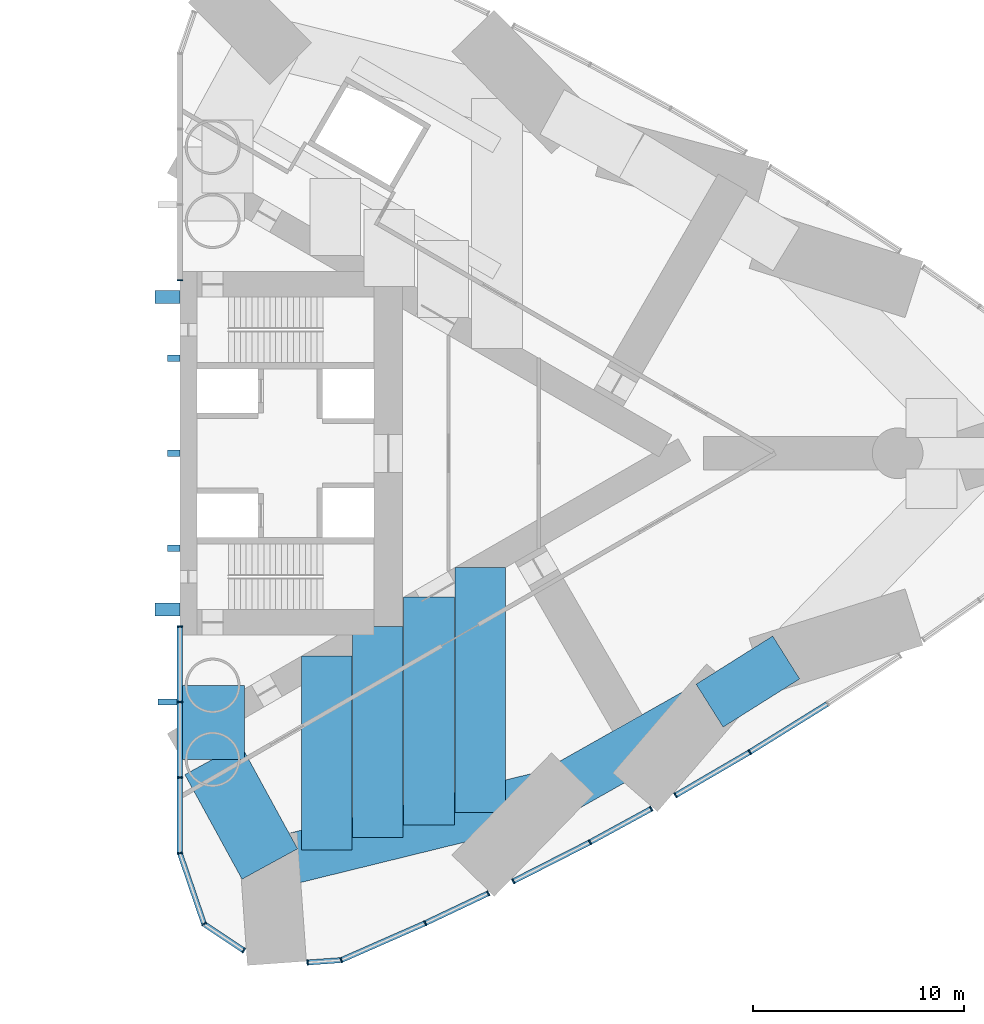
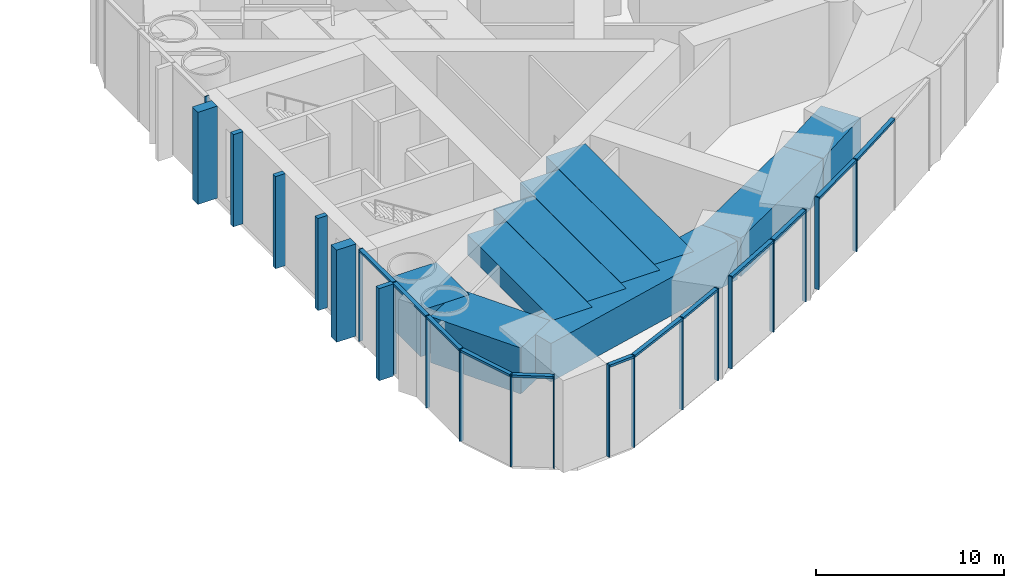
# One storey, part 6 of 16: 34 members, 9 beams, 5 elements without a shape of their own.
"""IFC4 building model written with IfcOpenShell, lengths in metres."""

from ifc_helpers import new_model, si_unit, direction, frame, origin, origin_2d, place, context, subcontext, project, spatial, rectangle, extrude, material, material_profile, profile_set, type_object, element, aggregate, save


model = new_model("IFC4")

# Units and contexts
model_context = context("Model", 3, precision=1e-05, world=origin(), true_north=direction((0.0, 1.0)))
body_context = subcontext(model_context, "Body", "Model", "MODEL_VIEW")
ifc_project = project(units=[si_unit("LENGTHUNIT", "METRE"), si_unit("AREAUNIT", "SQUARE_METRE"), si_unit("VOLUMEUNIT", "CUBIC_METRE"), si_unit("PLANEANGLEUNIT", "RADIAN"), si_unit("MASSUNIT", "GRAM", prefix="KILO")], contexts=[model_context])

# Site, building, storey
site_placement = place(None, origin())
site = spatial("IfcSite", under=ifc_project, at=site_placement, CompositionType="ELEMENT")
building_placement = place(site_placement, origin())
building = spatial("IfcBuilding", under=site, at=building_placement, Name="Lancet Gate Hotel", CompositionType="ELEMENT")
storey_placement = place(building_placement, frame((0.0, 0.0, 146.699951171875)))
storey = spatial("IfcBuildingStorey", under=building, at=storey_placement, Name="L39", CompositionType="ELEMENT", Elevation=146.699951171875)

# Curtain wall, members
ifc_material_1 = material(Name="Aluminium curtain wall", Category="aluminium")
curtain_wall_type = type_object("IfcCurtainWallType", Name="Refuge storey louvred curtain wall", PredefinedType="USERDEFINED", material=ifc_material_1)
curtain_wall_1_placement = place(storey_placement, origin())
curtain_wall_1 = element("IfcCurtainWall", 1, at=curtain_wall_1_placement, inside=storey, type_object=curtain_wall_type, Name="T2 L39 curtain wall 1", ObjectType="LANTERN GLAZING", PredefinedType="USERDEFINED")
ifc_material_2 = material(Name="Aluminium mullion", Category="aluminium")
ifc_material_profile_1 = material_profile(ifc_material_2, rectangle(XDim=0.06494140625, YDim=0.25, at=origin_2d()), Name="MULLION 65x250")
ifc_profile_set_1 = profile_set([ifc_material_profile_1], Name="Aluminium mullion")
member_type_1 = type_object("IfcMemberType", Name="Aluminium mullion 65x250", PredefinedType="MULLION", material=ifc_profile_set_1)
member_1_placement = place(storey_placement, frame((27.5, -8.199951171875, 0.0), z_axis=(0.0, 0.0, 1.0), x_axis=(0.0, -1.0, 0.0)))
member_1 = element("IfcMember", 2, at=member_1_placement, type_object=member_type_1, Name="T2 L39 curtain wall 1 mullion 1", PredefinedType="MULLION", context=body_context, shape_type="SweptSolid", body=[
    extrude(rectangle(XDim=0.06494140625, YDim=0.25, at=origin_2d()), origin(), (0.0, 0.0, 1.0), 6.0),
])
member_2_placement = place(storey_placement, frame((27.5, -11.781005859375, 0.0), z_axis=(0.0, 0.0, 1.0), x_axis=(0.0, -1.0, 0.0)))
member_2 = element("IfcMember", 3, at=member_2_placement, type_object=member_type_1, Name="T2 L39 curtain wall 1 mullion 2", PredefinedType="MULLION", context=body_context, shape_type="SweptSolid", body=[
    extrude(rectangle(XDim=0.06494140625, YDim=0.25, at=origin_2d()), origin(), (0.0, 0.0, 1.0), 6.0),
])
member_3_placement = place(storey_placement, frame((27.5, -15.362060546875, 0.0), z_axis=(0.0, 0.0, 1.0), x_axis=(0.0, -1.0, 0.0)))
member_3 = element("IfcMember", 4, at=member_3_placement, type_object=member_type_1, Name="T2 L39 curtain wall 1 mullion 3", PredefinedType="MULLION", context=body_context, shape_type="SweptSolid", body=[
    extrude(rectangle(XDim=0.06494140625, YDim=0.25, at=origin_2d()), origin(), (0.0, 0.0, 1.0), 6.0),
])
member_4_placement = place(storey_placement, frame((27.5, -18.94287109375, 0.0), z_axis=(0.0, 0.0, 1.0), x_axis=(0.162738742557, -0.986669195663, 0.0)))
member_4 = element("IfcMember", 5, at=member_4_placement, type_object=member_type_1, Name="T2 L39 curtain wall 1 mullion 4", PredefinedType="MULLION", context=body_context, shape_type="SweptSolid", body=[
    extrude(rectangle(XDim=0.06494140625, YDim=0.25, at=origin_2d()), origin(), (0.0, 0.0, 1.0), 6.0),
])
member_5_placement = place(storey_placement, frame((28.64453125, -22.301513671875, 0.0), z_axis=(0.0, 0.0, 1.0), x_axis=(0.54909228457, -0.835761726227, 0.0)))
member_5 = element("IfcMember", 6, at=member_5_placement, type_object=member_type_1, Name="T2 L39 curtain wall 1 mullion 5", PredefinedType="MULLION", context=body_context, shape_type="SweptSolid", body=[
    extrude(rectangle(XDim=0.06494140625, YDim=0.25, at=origin_2d()), origin(), (0.0, 0.0, 1.0), 6.0),
])
member_6_placement = place(storey_placement, frame((30.526123046875, -23.549072265625, 0.0), z_axis=(0.0, 0.0, 1.0), x_axis=(0.833464516611, -0.552572981198, 0.0)))
member_6 = element("IfcMember", 7, at=member_6_placement, type_object=member_type_1, Name="T2 L39 curtain wall 1 mullion 6", PredefinedType="MULLION", context=body_context, shape_type="SweptSolid", body=[
    extrude(rectangle(XDim=0.06494140625, YDim=0.25, at=origin_2d()), origin(), (0.0, 0.0, 1.0), 6.0),
])

curtain_wall_2_placement = place(storey_placement, origin())
curtain_wall_2 = element("IfcCurtainWall", 8, at=curtain_wall_2_placement, inside=storey, type_object=curtain_wall_type, Name="T2 L39 curtain wall 2", ObjectType="LANTERN GLAZING", PredefinedType="USERDEFINED")
member_7_placement = place(storey_placement, frame((33.54931640625, -24.123046875, 0.0), z_axis=(0.0, 0.0, 1.0), x_axis=(0.997448492935, 0.07138980278, 0.0)))
member_7 = element("IfcMember", 9, at=member_7_placement, type_object=member_type_1, Name="T2 L39 curtain wall 2 mullion 1", PredefinedType="MULLION", context=body_context, shape_type="SweptSolid", body=[
    extrude(rectangle(XDim=0.06494140625, YDim=0.25, at=origin_2d()), origin(), (0.0, 0.0, 1.0), 6.0),
])
member_8_placement = place(storey_placement, frame((35.141357421875, -24.009033203125, 0.0), z_axis=(0.0, 0.0, 1.0), x_axis=(0.948382370841, 0.317129119883, 0.0)))
member_8 = element("IfcMember", 10, at=member_8_placement, type_object=member_type_1, Name="T2 L39 curtain wall 2 mullion 2", PredefinedType="MULLION", context=body_context, shape_type="SweptSolid", body=[
    extrude(rectangle(XDim=0.06494140625, YDim=0.25, at=origin_2d()), origin(), (0.0, 0.0, 1.0), 6.0),
])
member_9_placement = place(storey_placement, frame((39.12109375, -22.259765625, 0.0), z_axis=(0.0, 0.0, 1.0), x_axis=(0.91047251067, 0.413569591864, 0.0)))
member_9 = element("IfcMember", 11, at=member_9_placement, type_object=member_type_1, Name="T2 L39 curtain wall 2 mullion 3", PredefinedType="MULLION", context=body_context, shape_type="SweptSolid", body=[
    extrude(rectangle(XDim=0.06494140625, YDim=0.25, at=origin_2d()), origin(), (0.0, 0.0, 1.0), 6.0),
])
member_10_placement = place(storey_placement, frame((42.10986328125, -20.843505859375, 0.0), z_axis=(0.0, 0.0, 1.0), x_axis=(0.903683440096, 0.428201167789, 0.0)))
member_10 = element("IfcMember", 12, at=member_10_placement, type_object=member_type_1, Name="T2 L39 curtain wall 2 mullion 4", PredefinedType="MULLION", context=body_context, shape_type="SweptSolid", body=[
    extrude(rectangle(XDim=0.06494140625, YDim=0.25, at=origin_2d()), origin(), (0.0, 0.0, 1.0), 6.0),
])

curtain_wall_3_placement = place(storey_placement, origin())
curtain_wall_3 = element("IfcCurtainWall", 13, at=curtain_wall_3_placement, inside=storey, type_object=curtain_wall_type, Name="T2 L39 curtain wall 3", ObjectType="LANTERN GLAZING", PredefinedType="USERDEFINED")
member_11_placement = place(storey_placement, frame((43.29443359375, -20.273681640625, 0.0), z_axis=(0.0, 0.0, 1.0), x_axis=(0.891159350462, 0.453690436403, 0.0)))
member_11 = element("IfcMember", 14, at=member_11_placement, type_object=member_type_1, Name="T2 L39 curtain wall 3 mullion 1", PredefinedType="MULLION", context=body_context, shape_type="SweptSolid", body=[
    extrude(rectangle(XDim=0.06494140625, YDim=0.25, at=origin_2d()), origin(), (0.0, 0.0, 1.0), 6.0),
])
member_12_placement = place(storey_placement, frame((46.923828125, -18.426025390625, 0.0), z_axis=(0.0, 0.0, 1.0), x_axis=(0.8853073813, 0.465006280189, 0.0)))
member_12 = element("IfcMember", 15, at=member_12_placement, type_object=member_type_1, Name="T2 L39 curtain wall 3 mullion 2", PredefinedType="MULLION", context=body_context, shape_type="SweptSolid", body=[
    extrude(rectangle(XDim=0.06494140625, YDim=0.25, at=origin_2d()), origin(), (0.0, 0.0, 1.0), 6.0),
])
member_13_placement = place(storey_placement, frame((49.832275390625, -16.839599609375, 0.0), z_axis=(0.0, 0.0, 1.0), x_axis=(0.877916491224, 0.478813778454, 0.0)))
member_13 = element("IfcMember", 16, at=member_13_placement, type_object=member_type_1, Name="T2 L39 curtain wall 3 mullion 3", PredefinedType="MULLION", context=body_context, shape_type="SweptSolid", body=[
    extrude(rectangle(XDim=0.06494140625, YDim=0.25, at=origin_2d()), origin(), (0.0, 0.0, 1.0), 6.0),
])

curtain_wall_4_placement = place(storey_placement, origin())
curtain_wall_4 = element("IfcCurtainWall", 17, at=curtain_wall_4_placement, inside=storey, type_object=curtain_wall_type, Name="T2 L39 curtain wall 4", ObjectType="LANTERN GLAZING", PredefinedType="USERDEFINED")
member_14_placement = place(storey_placement, frame((50.9814453125, -16.203857421875, 0.0), z_axis=(0.0, 0.0, 1.0), x_axis=(0.863965543499, 0.503550930538, 0.0)))
member_14 = element("IfcMember", 18, at=member_14_placement, type_object=member_type_1, Name="T2 L39 curtain wall 4 mullion 1", PredefinedType="MULLION", context=body_context, shape_type="SweptSolid", body=[
    extrude(rectangle(XDim=0.06494140625, YDim=0.25, at=origin_2d()), origin(), (0.0, 0.0, 1.0), 6.0),
])
member_15_placement = place(storey_placement, frame((54.496337890625, -14.1552734375, 0.0), z_axis=(0.0, 0.0, 1.0), x_axis=(0.856485260628, 0.516171481513, 0.0)))
member_15 = element("IfcMember", 19, at=member_15_placement, type_object=member_type_1, Name="T2 L39 curtain wall 4 mullion 2", PredefinedType="MULLION", context=body_context, shape_type="SweptSolid", body=[
    extrude(rectangle(XDim=0.06494140625, YDim=0.25, at=origin_2d()), origin(), (0.0, 0.0, 1.0), 6.0),
])

# Curtain wall, member
curtain_wall_5_placement = place(storey_placement, origin())
curtain_wall_5 = element("IfcCurtainWall", 20, at=curtain_wall_5_placement, inside=storey, type_object=curtain_wall_type, Name="T2 L39 curtain wall 10", ObjectType="LANTERN GLAZING", PredefinedType="USERDEFINED")
member_16_placement = place(storey_placement, frame((27.5, 8.199951171875, 0.0), z_axis=(0.0, 0.0, 1.0), x_axis=(0.0, -1.0, 0.0)))
member_16 = element("IfcMember", 21, at=member_16_placement, type_object=member_type_1, Name="T2 L39 curtain wall 10 mullion 5", PredefinedType="MULLION", context=body_context, shape_type="SweptSolid", body=[
    extrude(rectangle(XDim=0.06494140625, YDim=0.25, at=origin_2d()), origin(), (0.0, 0.0, 1.0), 6.0),
])
aggregate(curtain_wall_5, [member_16])

# Member
ifc_material_3 = material(Name="Aluminium transom", Category="aluminium")
ifc_material_profile_2 = material_profile(ifc_material_3, rectangle(XDim=0.25, YDim=0.14990234375, at=origin_2d()), Name="TRANSOM 250x150")
ifc_profile_set_2 = profile_set([ifc_material_profile_2], Name="Aluminium transom")
member_type_2 = type_object("IfcMemberType", Name="Aluminium transom 250x150", PredefinedType="USERDEFINED", material=ifc_profile_set_2)
member_17_placement = place(storey_placement, frame((27.5, -8.232421875, 5.925048828125), z_axis=(0.0, -1.0, 0.0), x_axis=(1.0, 0.0, 0.0)))
member_17 = element("IfcMember", 22, at=member_17_placement, type_object=member_type_2, Name="T2 L39 curtain wall 1 transom 1", ObjectType="TRANSOM", PredefinedType="USERDEFINED", context=body_context, shape_type="SweptSolid", body=[
    extrude(rectangle(XDim=0.25, YDim=0.14990234375, at=origin_2d()), origin(), (0.0, 0.0, 1.0), 3.51611328125),
])

member_18_placement = place(storey_placement, frame((27.5, -11.8134765625, 5.925048828125), z_axis=(0.0, -1.0, 0.0), x_axis=(1.0, 0.0, 0.0)))
member_18 = element("IfcMember", 23, at=member_18_placement, type_object=member_type_2, Name="T2 L39 curtain wall 1 transom 2", ObjectType="TRANSOM", PredefinedType="USERDEFINED", context=body_context, shape_type="SweptSolid", body=[
    extrude(rectangle(XDim=0.25, YDim=0.14990234375, at=origin_2d()), origin(), (0.0, 0.0, 1.0), 3.515869140625),
])

member_19_placement = place(storey_placement, frame((27.5, -15.39453125, 5.925048828125), z_axis=(0.0, -1.0, 0.0), x_axis=(1.0, 0.0, 0.0)))
member_19 = element("IfcMember", 24, at=member_19_placement, type_object=member_type_2, Name="T2 L39 curtain wall 1 transom 3", ObjectType="TRANSOM", PredefinedType="USERDEFINED", context=body_context, shape_type="SweptSolid", body=[
    extrude(rectangle(XDim=0.25, YDim=0.14990234375, at=origin_2d()), origin(), (0.0, 0.0, 1.0), 3.515869140625),
])

member_20_placement = place(storey_placement, frame((27.510498046875, -18.9736328125, 5.925048828125), z_axis=(0.322549769135, -0.946552505903, 0.0), x_axis=(0.946552505903, 0.322549769135, 0.0)))
member_20 = element("IfcMember", 25, at=member_20_placement, type_object=member_type_2, Name="T2 L39 curtain wall 1 transom 4", ObjectType="TRANSOM", PredefinedType="USERDEFINED", context=body_context, shape_type="SweptSolid", body=[
    extrude(rectangle(XDim=0.25, YDim=0.14990234375, at=origin_2d()), origin(), (0.0, 0.0, 1.0), 3.4833984375),
])

member_21_placement = place(storey_placement, frame((28.671630859375, -22.319580078125, 5.925048828125), z_axis=(0.833486533887, -0.55253977036, 0.0), x_axis=(0.55253977036, 0.833486533887, 0.0)))
member_21 = element("IfcMember", 26, at=member_21_placement, type_object=member_type_2, Name="T2 L39 curtain wall 1 transom 5", ObjectType="TRANSOM", PredefinedType="USERDEFINED", context=body_context, shape_type="SweptSolid", body=[
    extrude(rectangle(XDim=0.25, YDim=0.14990234375, at=origin_2d()), origin(), (0.0, 0.0, 1.0), 2.1923828125),
])

member_22_placement = place(storey_placement, frame((33.581787109375, -24.12060546875, 5.925048828125), z_axis=(0.997444920406, 0.071439700135, 0.0), x_axis=(-0.071439700135, 0.997444920406, 0.0)))
member_22 = element("IfcMember", 27, at=member_22_placement, type_object=member_type_2, Name="T2 L39 curtain wall 2 transom 1", ObjectType="TRANSOM", PredefinedType="USERDEFINED", context=body_context, shape_type="SweptSolid", body=[
    extrude(rectangle(XDim=0.25, YDim=0.14990234375, at=origin_2d()), origin(), (0.0, 0.0, 1.0), 1.531005859375),
])

member_23_placement = place(storey_placement, frame((35.171142578125, -23.995849609375, 5.925048828125), z_axis=(0.915484772266, 0.402352621155, 0.0), x_axis=(-0.402352621155, 0.915484772266, 0.0)))
member_23 = element("IfcMember", 28, at=member_23_placement, type_object=member_type_2, Name="T2 L39 curtain wall 2 transom 2", ObjectType="TRANSOM", PredefinedType="USERDEFINED", context=body_context, shape_type="SweptSolid", body=[
    extrude(rectangle(XDim=0.25, YDim=0.14990234375, at=origin_2d()), origin(), (0.0, 0.0, 1.0), 4.281982421875),
])

member_24_placement = place(storey_placement, frame((39.150634765625, -22.245849609375, 5.925048828125), z_axis=(0.903670364691, 0.42822876127, 0.0), x_axis=(-0.42822876127, 0.903670364691, 0.0)))
member_24 = element("IfcMember", 29, at=member_24_placement, type_object=member_type_2, Name="T2 L39 curtain wall 2 transom 3", ObjectType="TRANSOM", PredefinedType="USERDEFINED", context=body_context, shape_type="SweptSolid", body=[
    extrude(rectangle(XDim=0.25, YDim=0.14990234375, at=origin_2d()), origin(), (0.0, 0.0, 1.0), 3.2421875),
])

aggregate(curtain_wall_2, [member_7, member_8, member_9, member_10, member_22, member_23, member_24])

member_25_placement = place(storey_placement, frame((43.323486328125, -20.2587890625, 5.925048828125), z_axis=(0.891175206203, 0.453659290491, 0.0), x_axis=(-0.453659290491, 0.891175206203, 0.0)))
member_25 = element("IfcMember", 30, at=member_25_placement, type_object=member_type_2, Name="T2 L39 curtain wall 3 transom 1", ObjectType="TRANSOM", PredefinedType="USERDEFINED", context=body_context, shape_type="SweptSolid", body=[
    extrude(rectangle(XDim=0.25, YDim=0.14990234375, at=origin_2d()), origin(), (0.0, 0.0, 1.0), 4.007568359375),
])

member_26_placement = place(storey_placement, frame((46.952392578125, -18.410400390625, 5.925048828125), z_axis=(0.877924296718, 0.478799466617, 0.0), x_axis=(-0.478799466617, 0.877924296718, 0.0)))
member_26 = element("IfcMember", 31, at=member_26_placement, type_object=member_type_2, Name="T2 L39 curtain wall 3 transom 2", ObjectType="TRANSOM", PredefinedType="USERDEFINED", context=body_context, shape_type="SweptSolid", body=[
    extrude(rectangle(XDim=0.25, YDim=0.14990234375, at=origin_2d()), origin(), (0.0, 0.0, 1.0), 3.248046875),
])

aggregate(curtain_wall_3, [member_11, member_12, member_13, member_25, member_26])

member_27_placement = place(storey_placement, frame((51.009521484375, -16.1875, 5.925048828125), z_axis=(0.863966849856, 0.503548689155, 0.0), x_axis=(-0.503548689155, 0.863966849856, 0.0)))
member_27 = element("IfcMember", 32, at=member_27_placement, type_object=member_type_2, Name="T2 L39 curtain wall 4 transom 1", ObjectType="TRANSOM", PredefinedType="USERDEFINED", context=body_context, shape_type="SweptSolid", body=[
    extrude(rectangle(XDim=0.25, YDim=0.14990234375, at=origin_2d()), origin(), (0.0, 0.0, 1.0), 4.00341796875),
])

member_28_placement = place(storey_placement, frame((54.52392578125, -14.13818359375, 5.925048828125), z_axis=(0.849308812566, 0.527896335371, 0.0), x_axis=(-0.527896335371, 0.849308812566, 0.0)))
member_28 = element("IfcMember", 33, at=member_28_placement, type_object=member_type_2, Name="T2 L39 curtain wall 4 transom 2", ObjectType="TRANSOM", PredefinedType="USERDEFINED", context=body_context, shape_type="SweptSolid", body=[
    extrude(rectangle(XDim=0.25, YDim=0.14990234375, at=origin_2d()), origin(), (0.0, 0.0, 1.0), 4.282470703125),
])

aggregate(curtain_wall_4, [member_14, member_15, member_27, member_28])

# Members
ifc_material_4 = material(Name="Concrete C60/75", Category="concrete")
ifc_material_profile_3 = material_profile(ifc_material_4, rectangle(XDim=0.60009765625, YDim=1.199951171875, at=origin_2d()), Name="FIN 600x1200")
ifc_profile_set_3 = profile_set([ifc_material_profile_3], Name="Concrete C60/75")
member_type_3 = type_object("IfcMemberType", Name="Exposed concrete buttress pilaster 600x1200", PredefinedType="USERDEFINED", material=ifc_profile_set_3)
for number, where, z_axis, x_axis, name in (
    (34, (26.909912109375, -7.39990234375, 0.0), (0.0, 0.0, 1.0), (0.0, 1.0, 0.0), "T2 buttress pilaster S L39"),
    (35, (26.909912109375, 7.39990234375, 0.0), (0.0, 0.0, 1.0), (0.0, 1.0, 0.0), "T2 buttress pilaster N L39"),
):
    element("IfcMember", number, at=place(storey_placement, frame(where, z_axis=z_axis, x_axis=x_axis)), inside=storey, type_object=member_type_3, Name=name, ObjectType="FIN", PredefinedType="USERDEFINED", context=body_context, shape_type="SweptSolid", body=[
        extrude(rectangle(XDim=0.60009765625, YDim=1.199951171875, at=origin_2d()), origin(), (0.0, 0.0, 1.0), 6.0),
    ])

# Member
ifc_material_5 = material(Name="Precast concrete C50/60", Category="concrete")
ifc_material_profile_4 = material_profile(ifc_material_5, rectangle(XDim=0.300048828125, YDim=0.89990234375, at=origin_2d()), Name="FIN 300x900")
ifc_profile_set_4 = profile_set([ifc_material_profile_4], Name="Precast concrete C50/60")
member_type_4 = type_object("IfcMemberType", Name="Exposed concrete fin 300x900", PredefinedType="USERDEFINED", material=ifc_profile_set_4)
member_29_placement = place(storey_placement, frame((26.925048828125, -11.781005859375, 0.0), z_axis=(0.0, 0.0, 1.0), x_axis=(0.0, -1.0, 0.0)))
member_29 = element("IfcMember", 36, at=member_29_placement, type_object=member_type_4, Name="T2 L39 curtain wall 1 fin 2", ObjectType="FIN", PredefinedType="USERDEFINED", context=body_context, shape_type="SweptSolid", body=[
    extrude(rectangle(XDim=0.300048828125, YDim=0.89990234375, at=origin_2d()), origin(), (0.0, 0.0, 1.0), 6.0),
])

aggregate(curtain_wall_1, [member_1, member_2, member_29, member_3, member_4, member_5, member_6, member_17, member_18, member_19, member_20, member_21])

# Members
ifc_material_6 = material(Name="Concrete C60/75", Category="concrete")
ifc_material_profile_5 = material_profile(ifc_material_6, rectangle(XDim=0.300048828125, YDim=0.60009765625, at=origin_2d()), Name="FIN 300x600")
ifc_profile_set_5 = profile_set([ifc_material_profile_5], Name="Concrete C60/75")
member_type_5 = type_object("IfcMemberType", Name="Exposed concrete rib 300x600", PredefinedType="USERDEFINED", material=ifc_profile_set_5)
for number, where, z_axis, x_axis, name in (
    (37, (27.2099609375, -4.5, 0.0), (0.0, 0.0, 1.0), (0.0, 1.0, 0.0), "T2 core rib 1 L39"),
    (38, (27.2099609375, 0.0, 0.0), (0.0, 0.0, 1.0), (0.0, 1.0, 0.0), "T2 core rib 2 L39"),
    (39, (27.2099609375, 4.5, 0.0), (0.0, 0.0, 1.0), (0.0, 1.0, 0.0), "T2 core rib 3 L39"),
):
    element("IfcMember", number, at=place(storey_placement, frame(where, z_axis=z_axis, x_axis=x_axis)), inside=storey, type_object=member_type_5, Name=name, ObjectType="FIN", PredefinedType="USERDEFINED", context=body_context, shape_type="SweptSolid", body=[
        extrude(rectangle(XDim=0.300048828125, YDim=0.60009765625, at=origin_2d()), origin(), (0.0, 0.0, 1.0), 6.0),
    ])

# Beams
ifc_material_7 = material(Name="Concrete C50/60", Category="concrete")
ifc_material_profile_6 = material_profile(ifc_material_7, rectangle(XDim=2.39990234375, YDim=1.300048828125, at=origin_2d()), Name="RC 2400x1300")
ifc_profile_set_6 = profile_set([ifc_material_profile_6], Name="Concrete C50/60")
beam_type_1 = type_object("IfcBeamType", Name="Floor beam RC 2400x1300", PredefinedType="BEAM", material=ifc_profile_set_6)
beam_1_placement = place(storey_placement, frame((34.460693359375, -18.7919921875, 5.10009765625), z_axis=(0.0, 1.0, 0.0), x_axis=(-1.0, 0.0, 0.0)))
element("IfcBeam", 40, at=beam_1_placement, inside=storey, type_object=beam_type_1, Name="T2 floor beam F02S L39", PredefinedType="BEAM", context=body_context, shape_type="SweptSolid", body=[
    extrude(rectangle(XDim=2.39990234375, YDim=1.300048828125, at=origin_2d()), origin(), (0.0, 0.0, 1.0), 9.18408203125),
])
beam_2_placement = place(storey_placement, frame((36.880859375, -18.197021484375, 5.10009765625), z_axis=(0.0, 1.0, 0.0), x_axis=(-1.0, 0.0, 0.0)))
element("IfcBeam", 41, at=beam_2_placement, inside=storey, type_object=beam_type_1, Name="T2 floor beam F04S L39", PredefinedType="BEAM", context=body_context, shape_type="SweptSolid", body=[
    extrude(rectangle(XDim=2.39990234375, YDim=1.300048828125, at=origin_2d()), origin(), (0.0, 0.0, 1.0), 9.986328125),
])
beam_3_placement = place(storey_placement, frame((39.301025390625, -17.60205078125, 5.10009765625), z_axis=(0.0, 1.0, 0.0), x_axis=(-1.0, 0.0, 0.0)))
element("IfcBeam", 42, at=beam_3_placement, inside=storey, type_object=beam_type_1, Name="T2 floor beam F06S L39", PredefinedType="BEAM", context=body_context, shape_type="SweptSolid", body=[
    extrude(rectangle(XDim=2.39990234375, YDim=1.300048828125, at=origin_2d()), origin(), (0.0, 0.0, 1.0), 10.78857421875),
])
beam_4_placement = place(storey_placement, frame((41.721435546875, -17.007080078125, 5.10009765625), z_axis=(0.0, 1.0, 0.0), x_axis=(-1.0, 0.0, 0.0)))
element("IfcBeam", 43, at=beam_4_placement, inside=storey, type_object=beam_type_1, Name="T2 floor beam F08S L39", PredefinedType="BEAM", context=body_context, shape_type="SweptSolid", body=[
    extrude(rectangle(XDim=2.39990234375, YDim=1.300048828125, at=origin_2d()), origin(), (0.0, 0.0, 1.0), 11.591064453125),
])
ifc_material_8 = material(Name="Concrete C50/60", Category="concrete")
ifc_material_profile_7 = material_profile(ifc_material_8, rectangle(XDim=2.39990234375, YDim=2.5, at=origin_2d()), Name="RC 2400x2500")
ifc_profile_set_7 = profile_set([ifc_material_profile_7], Name="Concrete C50/60")
beam_type_2 = type_object("IfcBeamType", Name="Tie ring beam RC 2400x2500", PredefinedType="SPANDREL", material=ifc_profile_set_7)
beam_5_placement = place(storey_placement, frame((31.759765625, -19.455810546875, 4.5), z_axis=(0.971093253227, 0.238700426344, 0.0), x_axis=(-0.238700426344, 0.971093253227, 0.0)))
element("IfcBeam", 44, at=beam_5_placement, inside=storey, type_object=beam_type_2, Name="T2 tie ring beam RG1 L39", PredefinedType="SPANDREL", context=body_context, shape_type="SweptSolid", body=[
    extrude(rectangle(XDim=2.39990234375, YDim=2.5, at=origin_2d()), origin(), (0.0, 0.0, 1.0), 13.77197265625),
])
beam_6_placement = place(storey_placement, frame((45.133544921875, -16.16845703125, 4.5), z_axis=(0.870721990329, 0.491775574381, 0.0), x_axis=(-0.491775574381, 0.870721990329, 0.0)))
element("IfcBeam", 45, at=beam_6_placement, inside=storey, type_object=beam_type_2, Name="T2 tie ring beam RG1 L39", PredefinedType="SPANDREL", context=body_context, shape_type="SweptSolid", body=[
    extrude(rectangle(XDim=2.39990234375, YDim=2.5, at=origin_2d()), origin(), (0.0, 0.0, 1.0), 8.568603515625),
])
beam_7_placement = place(storey_placement, frame((52.594482421875, -11.95458984375, 4.5), z_axis=(0.846348902569, 0.532628890617, 0.0), x_axis=(-0.532628890617, 0.846348902569, 0.0)))
element("IfcBeam", 46, at=beam_7_placement, inside=storey, type_object=beam_type_2, Name="T2 tie ring beam RG1 L39", PredefinedType="SPANDREL", context=body_context, shape_type="SweptSolid", body=[
    extrude(rectangle(XDim=2.39990234375, YDim=2.5, at=origin_2d()), origin(), (0.0, 0.0, 1.0), 4.284912109375),
])
ifc_material_9 = material(Name="Concrete C50/60", Category="concrete")
ifc_material_profile_8 = material_profile(ifc_material_9, rectangle(XDim=3.0, YDim=3.0, at=origin_2d()), Name="RC 3000x3000")
ifc_profile_set_8 = profile_set([ifc_material_profile_8], Name="Concrete C50/60")
beam_type_3 = type_object("IfcBeamType", Name="Tie ring beam RC 3000x3000", PredefinedType="SPANDREL", material=ifc_profile_set_8)
beam_8_placement = place(storey_placement, frame((31.759765625, -19.455810546875, 4.25), z_axis=(-0.479745274406, 0.877407813782, 0.0), x_axis=(-0.877407813782, -0.479745274406, 0.0)))
element("IfcBeam", 47, at=beam_8_placement, inside=storey, type_object=beam_type_3, Name="T2 tie ring beam RG4 L39", PredefinedType="SPANDREL", context=body_context, shape_type="SweptSolid", body=[
    extrude(rectangle(XDim=3.0, YDim=3.0, at=origin_2d()), origin(), (0.0, 0.0, 1.0), 5.648193359375),
])
beam_9_placement = place(storey_placement, frame((29.050048828125, -14.5, 4.25), z_axis=(0.0, 1.0, 0.0), x_axis=(-1.0, 0.0, 0.0)))
element("IfcBeam", 48, at=beam_9_placement, inside=storey, type_object=beam_type_3, Name="T2 tie ring beam RG4 L39", PredefinedType="SPANDREL", context=body_context, shape_type="SweptSolid", body=[
    extrude(rectangle(XDim=3.0, YDim=3.0, at=origin_2d()), origin(), (0.0, 0.0, 1.0), 3.5),
])

save(model, "model.ifc")
